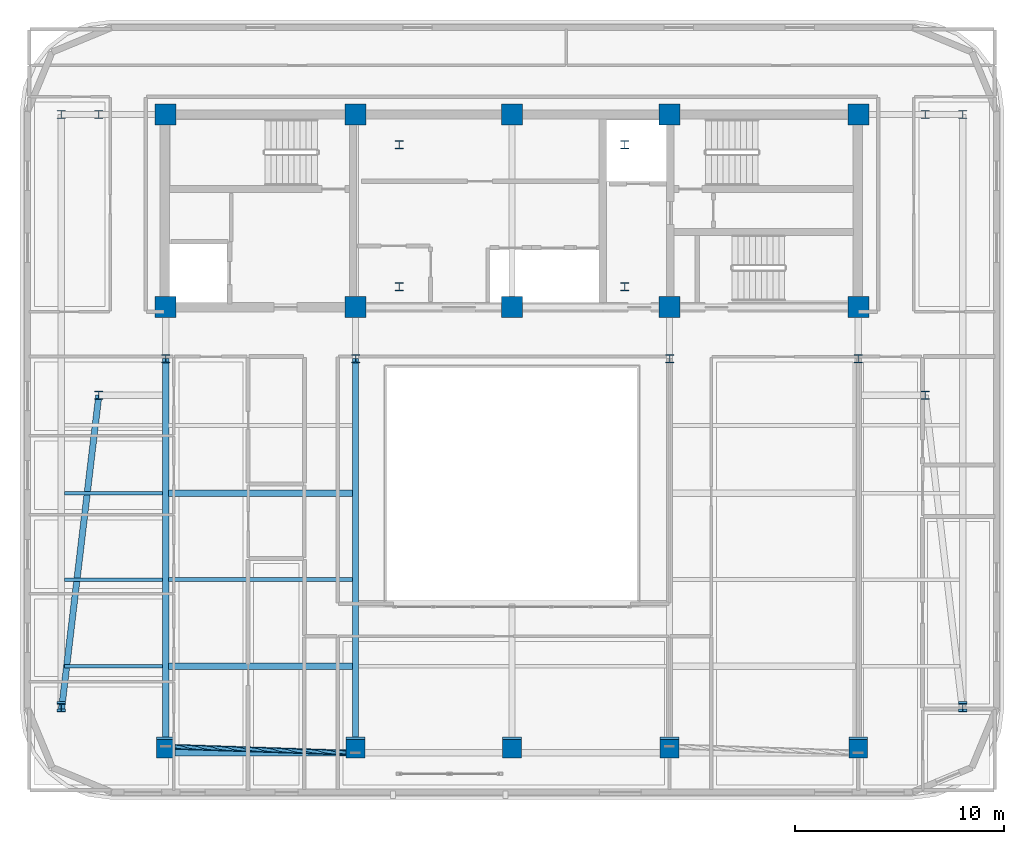
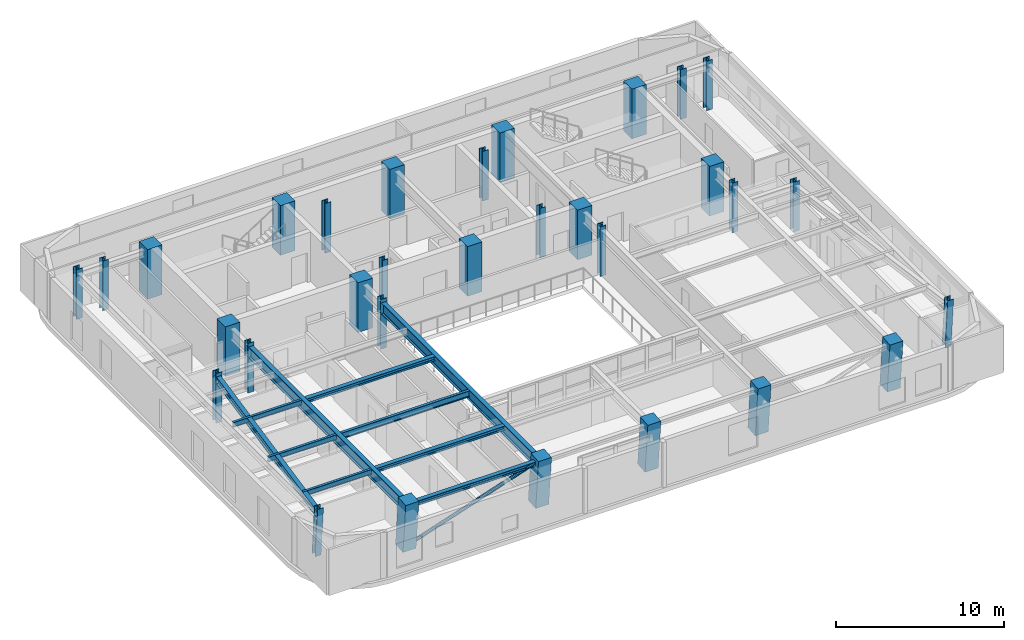
# One storey, part 1 of 14: 31 columns, 10 beams, 1 member.
"""IFC4 building model written with IfcOpenShell, lengths in metres."""

from ifc_helpers import new_model, si_unit, direction, frame, origin, origin_2d, place, context, subcontext, project, spatial, rectangle, hollow_circle, i_section, extrude, material, material_profile, profile_set, type_object, element, save


model = new_model("IFC4")

# Units and contexts
model_context = context("Model", 3, precision=1e-05, world=origin(), true_north=direction((0.0, 1.0)))
body_context = subcontext(model_context, "Body", "Model", "MODEL_VIEW")
ifc_project = project(units=[si_unit("LENGTHUNIT", "METRE"), si_unit("AREAUNIT", "SQUARE_METRE"), si_unit("VOLUMEUNIT", "CUBIC_METRE"), si_unit("PLANEANGLEUNIT", "RADIAN"), si_unit("MASSUNIT", "GRAM", prefix="KILO")], contexts=[model_context])

# Site, building, storey
site_placement = place(None, origin())
site = spatial("IfcSite", under=ifc_project, at=site_placement, CompositionType="ELEMENT")
building_placement = place(site_placement, origin())
building = spatial("IfcBuilding", under=site, at=building_placement, Name="Zarnavel Station Tower", CompositionType="ELEMENT")
storey_placement = place(building_placement, frame((0.0, 0.0, 214.800048828125)))
storey = spatial("IfcBuildingStorey", under=building, at=storey_placement, Name="L58", CompositionType="ELEMENT", Elevation=214.800048828125)

# Columns
ifc_material_1 = material(Name="Steel S355J2", Category="steel")
ifc_material_profile_1 = material_profile(ifc_material_1, i_section(OverallWidth=0.407958984375, OverallDepth=0.39990234375, WebThickness=0.02490234375, FlangeThickness=0.0390625, FilletRadius=0.014892578125, at=origin_2d()), Name="HD400x287")
ifc_profile_set_1 = profile_set([ifc_material_profile_1], Name="Steel S355J2")
column_type_1 = type_object("IfcColumnType", Name="EC_HD287", PredefinedType="COLUMN", material=ifc_profile_set_1)
column_1_placement = place(storey_placement, frame((7.199951171875, 8.708251953125, 0.0), z_axis=(0.0, -0.0798392644, 0.996807750702), x_axis=(1.0, 0.0, 0.0)))
element("IfcColumn", 1, at=column_1_placement, inside=storey, type_object=column_type_1, Name="L58 Raked Wing Column 1", PredefinedType="COLUMN", context=body_context, shape_type="SweptSolid", body=[
    extrude(i_section(OverallWidth=0.407958984375, OverallDepth=0.39990234375, WebThickness=0.02490234375, FlangeThickness=0.0390625, FilletRadius=0.014892578125, at=origin_2d()), origin(), (0.0, 0.0, 1.0), 3.611328125),
])
column_2_placement = place(storey_placement, frame((7.199951171875, 37.050048828125, 0.0), z_axis=(0.0, 0.0, 1.0), x_axis=(1.0, 0.0, 0.0)))
element("IfcColumn", 2, at=column_2_placement, inside=storey, type_object=column_type_1, Name="L58 Outer Wing North Column 1", PredefinedType="COLUMN", context=body_context, shape_type="SweptSolid", body=[
    extrude(i_section(OverallWidth=0.407958984375, OverallDepth=0.39990234375, WebThickness=0.02490234375, FlangeThickness=0.0390625, FilletRadius=0.014892578125, at=origin_2d()), origin(), (0.0, 0.0, 1.0), 3.599853515625),
])
column_3_placement = place(storey_placement, frame((50.39990234375, 8.708251953125, 0.0), z_axis=(0.0, -0.0798392644, 0.996807750702), x_axis=(1.0, 0.0, 0.0)))
element("IfcColumn", 3, at=column_3_placement, inside=storey, type_object=column_type_1, Name="L58 Raked Wing Column 2", PredefinedType="COLUMN", context=body_context, shape_type="SweptSolid", body=[
    extrude(i_section(OverallWidth=0.407958984375, OverallDepth=0.39990234375, WebThickness=0.02490234375, FlangeThickness=0.0390625, FilletRadius=0.014892578125, at=origin_2d()), origin(), (0.0, 0.0, 1.0), 3.611328125),
])
column_4_placement = place(storey_placement, frame((50.39990234375, 37.050048828125, 0.0), z_axis=(0.0, 0.0, 1.0), x_axis=(1.0, 0.0, 0.0)))
element("IfcColumn", 4, at=column_4_placement, inside=storey, type_object=column_type_1, Name="L58 Outer Wing North Column 2", PredefinedType="COLUMN", context=body_context, shape_type="SweptSolid", body=[
    extrude(i_section(OverallWidth=0.407958984375, OverallDepth=0.39990234375, WebThickness=0.02490234375, FlangeThickness=0.0390625, FilletRadius=0.014892578125, at=origin_2d()), origin(), (0.0, 0.0, 1.0), 3.599853515625),
])
ifc_material_2 = material(Name="Steel S355J2", Category="steel")
ifc_material_profile_2 = material_profile(ifc_material_2, i_section(OverallWidth=0.407958984375, OverallDepth=0.39990234375, WebThickness=0.02490234375, FlangeThickness=0.0390625, FilletRadius=0.014892578125, at=origin_2d()), Name="HD400x287")
ifc_profile_set_2 = profile_set([ifc_material_profile_2], Name="Steel S355J2")
column_type_2 = type_object("IfcColumnType", Name="IC_HD287", PredefinedType="COLUMN", material=ifc_profile_set_2)
for number, where, z_axis, x_axis, name in (
    (5, (23.39990234375, 28.800048828125, 0.0), (0.0, 0.0, 1.0), (1.0, 0.0, 0.0), "L58 Mast Spine Column 1"),
    (6, (34.199951171875, 28.800048828125, 0.0), (0.0, 0.0, 1.0), (1.0, 0.0, 0.0), "L58 Mast Spine Column 2"),
    (7, (34.199951171875, 35.60009765625, 0.0), (0.0, 0.0, 1.0), (1.0, 0.0, 0.0), "L58 Mast Spine Column 3"),
    (8, (23.39990234375, 35.60009765625, 0.0), (0.0, 0.0, 1.0), (1.0, 0.0, 0.0), "L58 Mast Spine Column 4"),
    (9, (12.199951171875, 25.35009765625, 0.0), (0.0, 0.0, 1.0), (1.0, 0.0, 0.0), "L58 Inner Spine Column 1"),
    (10, (21.300048828125, 25.35009765625, 0.0), (0.0, 0.0, 1.0), (1.0, 0.0, 0.0), "L58 Inner Spine Column 2"),
    (11, (36.35009765625, 25.35009765625, 0.0), (0.0, 0.0, 1.0), (1.0, 0.0, 0.0), "L58 Inner Spine Column 4"),
    (12, (45.39990234375, 25.35009765625, 0.0), (0.0, 0.0, 1.0), (1.0, 0.0, 0.0), "L58 Inner Spine Column 5"),
    (13, (9.0, 23.60009765625, 0.0), (0.0, 0.0, 1.0), (1.0, 0.0, 0.0), "L58 Inner Wing Spine Column 1-1"),
    (14, (9.0, 37.050048828125, 0.0), (0.0, 0.0, 1.0), (1.0, 0.0, 0.0), "L58 Inner Wing Spine Column 1-2"),
    (15, (48.60009765625, 23.60009765625, 0.0), (0.0, 0.0, 1.0), (1.0, 0.0, 0.0), "L58 Inner Wing Spine Column 2-1"),
    (16, (48.60009765625, 37.050048828125, 0.0), (0.0, 0.0, 1.0), (1.0, 0.0, 0.0), "L58 Inner Wing Spine Column 2-2"),
):
    element("IfcColumn", number, at=place(storey_placement, frame(where, z_axis=z_axis, x_axis=x_axis)), inside=storey, type_object=column_type_2, Name=name, PredefinedType="COLUMN", context=body_context, shape_type="SweptSolid", body=[
        extrude(i_section(OverallWidth=0.407958984375, OverallDepth=0.39990234375, WebThickness=0.02490234375, FlangeThickness=0.0390625, FilletRadius=0.014892578125, at=origin_2d()), origin(), (0.0, 0.0, 1.0), 3.599853515625),
    ])
ifc_material_3 = material(Name="Concrete C50/60", Category="concrete")
ifc_material_profile_3 = material_profile(ifc_material_3, rectangle(XDim=1.0, YDim=1.0, at=origin_2d()), Name="RC1000x1000")
ifc_profile_set_3 = profile_set([ifc_material_profile_3], Name="Concrete C50/60")
column_type_3 = type_object("IfcColumnType", Name="IC_RC1000", PredefinedType="COLUMN", material=ifc_profile_set_3)
for number, where, z_axis, x_axis, name in (
    (17, (12.199951171875, 27.820068359375, 0.0), (0.0, 0.0, 1.0), (1.0, 0.0, 0.0), "L58 Core Spine Column 1-1"),
    (18, (12.199951171875, 37.050048828125, 0.0), (0.0, 0.0, 1.0), (1.0, 0.0, 0.0), "L58 Core Spine Column 1-2"),
    (19, (21.300048828125, 27.820068359375, 0.0), (0.0, 0.0, 1.0), (1.0, 0.0, 0.0), "L58 Core Spine Column 2-1"),
    (20, (21.300048828125, 37.050048828125, 0.0), (0.0, 0.0, 1.0), (1.0, 0.0, 0.0), "L58 Core Spine Column 2-2"),
    (21, (28.800048828125, 27.820068359375, 0.0), (0.0, 0.0, 1.0), (1.0, 0.0, 0.0), "L58 Core Spine Column 3-1"),
    (22, (28.800048828125, 37.050048828125, 0.0), (0.0, 0.0, 1.0), (1.0, 0.0, 0.0), "L58 Core Spine Column 3-2"),
    (23, (36.35009765625, 27.820068359375, 0.0), (0.0, 0.0, 1.0), (1.0, 0.0, 0.0), "L58 Core Spine Column 4-1"),
    (24, (36.35009765625, 37.050048828125, 0.0), (0.0, 0.0, 1.0), (1.0, 0.0, 0.0), "L58 Core Spine Column 4-2"),
    (25, (45.39990234375, 27.820068359375, 0.0), (0.0, 0.0, 1.0), (1.0, 0.0, 0.0), "L58 Core Spine Column 5-1"),
    (26, (45.39990234375, 37.050048828125, 0.0), (0.0, 0.0, 1.0), (1.0, 0.0, 0.0), "L58 Core Spine Column 5-2"),
):
    element("IfcColumn", number, at=place(storey_placement, frame(where, z_axis=z_axis, x_axis=x_axis)), inside=storey, type_object=column_type_3, Name=name, PredefinedType="COLUMN", context=body_context, shape_type="SweptSolid", body=[
        extrude(rectangle(XDim=1.0, YDim=1.0, at=origin_2d()), origin(), (0.0, 0.0, 1.0), 3.599853515625),
    ])
ifc_material_4 = material(Name="Concrete C50/60", Category="concrete")
ifc_material_profile_4 = material_profile(ifc_material_4, rectangle(XDim=0.89990234375, YDim=0.89990234375, at=origin_2d()), Name="RC900x900")
ifc_profile_set_4 = profile_set([ifc_material_profile_4], Name="Concrete C50/60")
column_type_4 = type_object("IfcColumnType", Name="MC_RC900", PredefinedType="COLUMN", material=ifc_profile_set_4)
for number, where, z_axis, x_axis, name in (
    (27, (12.199951171875, 6.7626953125, 0.0), (0.0, -0.090237335163, 0.995920289653), (1.0, 0.0, 0.0), "L58 Raked South Mega-Column 1"),
    (28, (21.300048828125, 6.7626953125, 0.0), (0.0, -0.090237335163, 0.995920289653), (1.0, 0.0, 0.0), "L58 Raked South Mega-Column 2"),
    (29, (28.800048828125, 6.7626953125, 0.0), (0.0, -0.090237335163, 0.995920289653), (1.0, 0.0, 0.0), "L58 Raked South Mega-Column 3"),
    (30, (36.35009765625, 6.7626953125, 0.0), (0.0, -0.090237335163, 0.995920289653), (1.0, 0.0, 0.0), "L58 Raked South Mega-Column 4"),
    (31, (45.39990234375, 6.7626953125, 0.0), (0.0, -0.090237335163, 0.995920289653), (1.0, 0.0, 0.0), "L58 Raked South Mega-Column 5"),
):
    element("IfcColumn", number, at=place(storey_placement, frame(where, z_axis=z_axis, x_axis=x_axis)), inside=storey, type_object=column_type_4, Name=name, PredefinedType="COLUMN", context=body_context, shape_type="SweptSolid", body=[
        extrude(rectangle(XDim=0.89990234375, YDim=0.89990234375, at=origin_2d()), origin(), (0.0, 0.0, 1.0), 3.614501953125),
    ])

# Member
ifc_material_5 = material(Name="Steel S355J2", Category="steel")
ifc_material_profile_5 = material_profile(ifc_material_5, hollow_circle(Radius=0.122314453125, WallThickness=0.010009765625, at=origin_2d()), Name="CHS244.5x10")
ifc_profile_set_5 = profile_set([ifc_material_profile_5], Name="Steel S355J2")
member_type = type_object("IfcMemberType", Name="DB_EXT_CHS245", PredefinedType="BRACE", material=ifc_profile_set_5)
member_placement = place(storey_placement, frame((12.199951171875, 6.7626953125, 0.0), z_axis=(0.93831479952, -0.031189892059, 0.344372658084), x_axis=(0.033221979641, 0.999447997681, 0.0)))
element("IfcMember", 32, at=member_placement, inside=storey, type_object=member_type, Name="L58 Persian Exterior Diagonal Frame Brace 1", PredefinedType="BRACE", context=body_context, shape_type="SweptSolid", body=[
    extrude(hollow_circle(Radius=0.122314453125, WallThickness=0.010009765625, at=origin_2d()), origin(), (0.0, 0.0, 1.0), 9.6982421875),
])

# Beams
ifc_material_6 = material(Name="Steel S355J2", Category="steel")
ifc_material_profile_6 = material_profile(ifc_material_6, i_section(OverallWidth=0.300048828125, OverallDepth=0.320068359375, WebThickness=0.011474609375, FlangeThickness=0.0205078125, FilletRadius=0.027099609375, at=origin_2d()), Name="HEB320")
ifc_profile_set_6 = profile_set([ifc_material_profile_6], Name="Steel S355J2")
beam_type_1 = type_object("IfcBeamType", Name="EB_HEB320", PredefinedType="SPANDREL", material=ifc_profile_set_6)
beam_1_placement = place(storey_placement, frame((12.199951171875, 6.460205078125, 3.179931640625), z_axis=(1.0, 0.0, 0.0), x_axis=(0.0, 1.0, 0.0)))
element("IfcBeam", 33, at=beam_1_placement, inside=storey, type_object=beam_type_1, Name="L58 South Raked Spandrel 1", PredefinedType="SPANDREL", context=body_context, shape_type="SweptSolid", body=[
    extrude(i_section(OverallWidth=0.300048828125, OverallDepth=0.320068359375, WebThickness=0.011474609375, FlangeThickness=0.0205078125, FilletRadius=0.027099609375, at=origin_2d()), origin(), (0.0, 0.0, 1.0), 9.10009765625),
])
ifc_material_7 = material(Name="Steel S355J2", Category="steel")
ifc_material_profile_7 = material_profile(ifc_material_7, i_section(OverallWidth=0.300048828125, OverallDepth=0.31005859375, WebThickness=0.009033203125, FlangeThickness=0.015380859375, FilletRadius=0.027099609375, at=origin_2d()), Name="HEA320")
ifc_profile_set_7 = profile_set([ifc_material_profile_7], Name="Steel S355J2")
beam_type_2 = type_object("IfcBeamType", Name="FB_HEA320", PredefinedType="BEAM", material=ifc_profile_set_7)
for number, where, z_axis, x_axis, name in (
    (34, (12.344970703125, 10.608154296875, 3.18505859375), (1.0, 0.0, 0.0), (0.0, 1.0, 0.0), "L58 West Bay Beam 1"),
    (35, (12.344970703125, 18.904052734375, 3.18505859375), (1.0, 0.0, 0.0), (0.0, 1.0, 0.0), "L58 West Bay Beam 3"),
):
    element("IfcBeam", number, at=place(storey_placement, frame(where, z_axis=z_axis, x_axis=x_axis)), inside=storey, type_object=beam_type_2, Name=name, PredefinedType="BEAM", context=body_context, shape_type="SweptSolid", body=[
        extrude(i_section(OverallWidth=0.300048828125, OverallDepth=0.31005859375, WebThickness=0.009033203125, FlangeThickness=0.015380859375, FilletRadius=0.027099609375, at=origin_2d()), origin(), (0.0, 0.0, 1.0), 8.81005859375),
    ])
ifc_material_8 = material(Name="Steel S355J2", Category="steel")
ifc_material_profile_8 = material_profile(ifc_material_8, i_section(OverallWidth=0.18994140625, OverallDepth=0.449951171875, WebThickness=0.009521484375, FlangeThickness=0.0146484375, FilletRadius=0.02099609375, at=origin_2d()), Name="IPE450")
ifc_profile_set_8 = profile_set([ifc_material_profile_8], Name="Steel S355J2")
beam_type_3 = type_object("IfcBeamType", Name="FB_IPE450", PredefinedType="BEAM", material=ifc_profile_set_8)
beam_2_placement = place(storey_placement, frame((12.344970703125, 14.756103515625, 3.114990234375), z_axis=(1.0, 0.0, 0.0), x_axis=(0.0, 1.0, 0.0)))
element("IfcBeam", 36, at=beam_2_placement, inside=storey, type_object=beam_type_3, Name="L58 West Bay Beam 2", PredefinedType="BEAM", context=body_context, shape_type="SweptSolid", body=[
    extrude(i_section(OverallWidth=0.18994140625, OverallDepth=0.449951171875, WebThickness=0.009521484375, FlangeThickness=0.0146484375, FilletRadius=0.02099609375, at=origin_2d()), origin(), (0.0, 0.0, 1.0), 8.81005859375),
])
ifc_material_9 = material(Name="Steel S355J2", Category="steel")
ifc_material_profile_9 = material_profile(ifc_material_9, i_section(OverallWidth=0.300048828125, OverallDepth=0.5, WebThickness=0.014404296875, FlangeThickness=0.028076171875, FilletRadius=0.027099609375, at=origin_2d()), Name="HEB500")
ifc_profile_set_9 = profile_set([ifc_material_profile_9], Name="Steel S355J2")
beam_type_4 = type_object("IfcBeamType", Name="FG_HEB500", PredefinedType="USERDEFINED", material=ifc_profile_set_9)
beam_3_placement = place(storey_placement, frame((7.199951171875, 8.440673828125, 3.08984375), z_axis=(0.117912897135, 0.99302394165, 0.0), x_axis=(-0.99302394165, 0.117912897135, 0.0)))
element("IfcBeam", 37, at=beam_3_placement, inside=storey, type_object=beam_type_4, Name="L58 West Wing South Tie 1", ObjectType="GIRDER", PredefinedType="USERDEFINED", context=body_context, shape_type="SweptSolid", body=[
    extrude(i_section(OverallWidth=0.300048828125, OverallDepth=0.5, WebThickness=0.014404296875, FlangeThickness=0.028076171875, FilletRadius=0.027099609375, at=origin_2d()), origin(), (0.0, 0.0, 1.0), 15.265869140625),
])
ifc_material_10 = material(Name="Steel S355J2", Category="steel")
ifc_material_profile_10 = material_profile(ifc_material_10, i_section(OverallWidth=0.300048828125, OverallDepth=0.800048828125, WebThickness=0.017578125, FlangeThickness=0.032958984375, FilletRadius=0.030029296875, at=origin_2d()), Name="HEB800")
ifc_profile_set_10 = profile_set([ifc_material_profile_10], Name="Steel S355J2")
beam_type_5 = type_object("IfcBeamType", Name="FG_HEB800", PredefinedType="USERDEFINED", material=ifc_profile_set_10)
for number, where, z_axis, x_axis, name in (
    (38, (12.199951171875, 6.460205078125, 2.93994140625), (0.0, 1.0, 0.0), (-1.0, 0.0, 0.0), "L58 South-Zone NS Girder 1"),
    (39, (21.300048828125, 6.460205078125, 2.93994140625), (0.0, 1.0, 0.0), (-1.0, 0.0, 0.0), "L58 South-Zone NS Girder 2"),
):
    element("IfcBeam", number, at=place(storey_placement, frame(where, z_axis=z_axis, x_axis=x_axis)), inside=storey, type_object=beam_type_5, Name=name, ObjectType="GIRDER", PredefinedType="USERDEFINED", context=body_context, shape_type="SweptSolid", body=[
        extrude(i_section(OverallWidth=0.300048828125, OverallDepth=0.800048828125, WebThickness=0.017578125, FlangeThickness=0.032958984375, FilletRadius=0.030029296875, at=origin_2d()), origin(), (0.0, 0.0, 1.0), 18.889892578125),
    ])
ifc_material_11 = material(Name="Steel S355J2", Category="steel")
ifc_material_profile_11 = material_profile(ifc_material_11, i_section(OverallWidth=0.169921875, OverallDepth=0.360107421875, WebThickness=0.008056640625, FlangeThickness=0.0126953125, FilletRadius=0.01806640625, at=origin_2d()), Name="IPE360")
ifc_profile_set_11 = profile_set([ifc_material_profile_11], Name="Steel S355J2")
beam_type_6 = type_object("IfcBeamType", Name="FJ_IPE360", PredefinedType="JOIST", material=ifc_profile_set_11)
for number, where, z_axis, x_axis, name in (
    (40, (7.344970703125, 10.608154296875, 3.159912109375), (1.0, 0.0, 0.0), (0.0, 1.0, 0.0), "L58 West Wing Joist 1"),
    (41, (7.344970703125, 14.756103515625, 3.159912109375), (1.0, 0.0, 0.0), (0.0, 1.0, 0.0), "L58 West Wing Joist 2"),
    (42, (7.344970703125, 18.904052734375, 3.159912109375), (1.0, 0.0, 0.0), (0.0, 1.0, 0.0), "L58 West Wing Joist 3"),
):
    element("IfcBeam", number, at=place(storey_placement, frame(where, z_axis=z_axis, x_axis=x_axis)), inside=storey, type_object=beam_type_6, Name=name, PredefinedType="JOIST", context=body_context, shape_type="SweptSolid", body=[
        extrude(i_section(OverallWidth=0.169921875, OverallDepth=0.360107421875, WebThickness=0.008056640625, FlangeThickness=0.0126953125, FilletRadius=0.01806640625, at=origin_2d()), origin(), (0.0, 0.0, 1.0), 4.7099609375),
    ])

save(model, "model.ifc")
